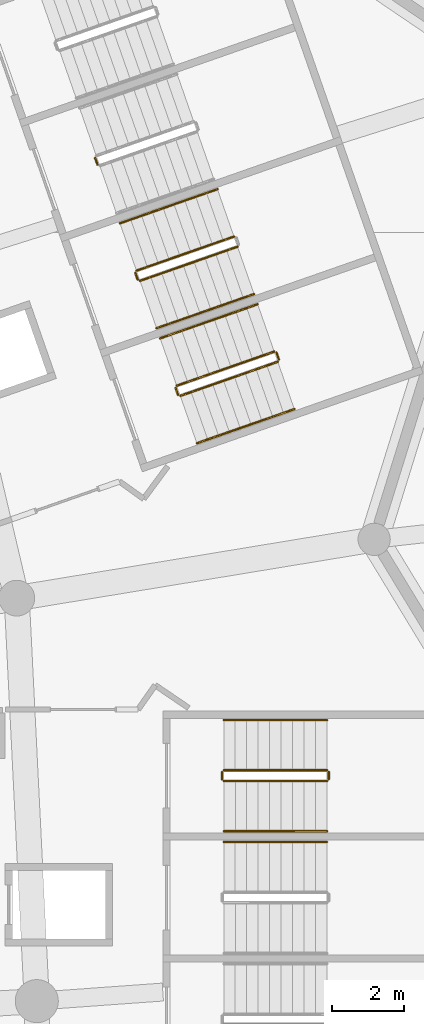
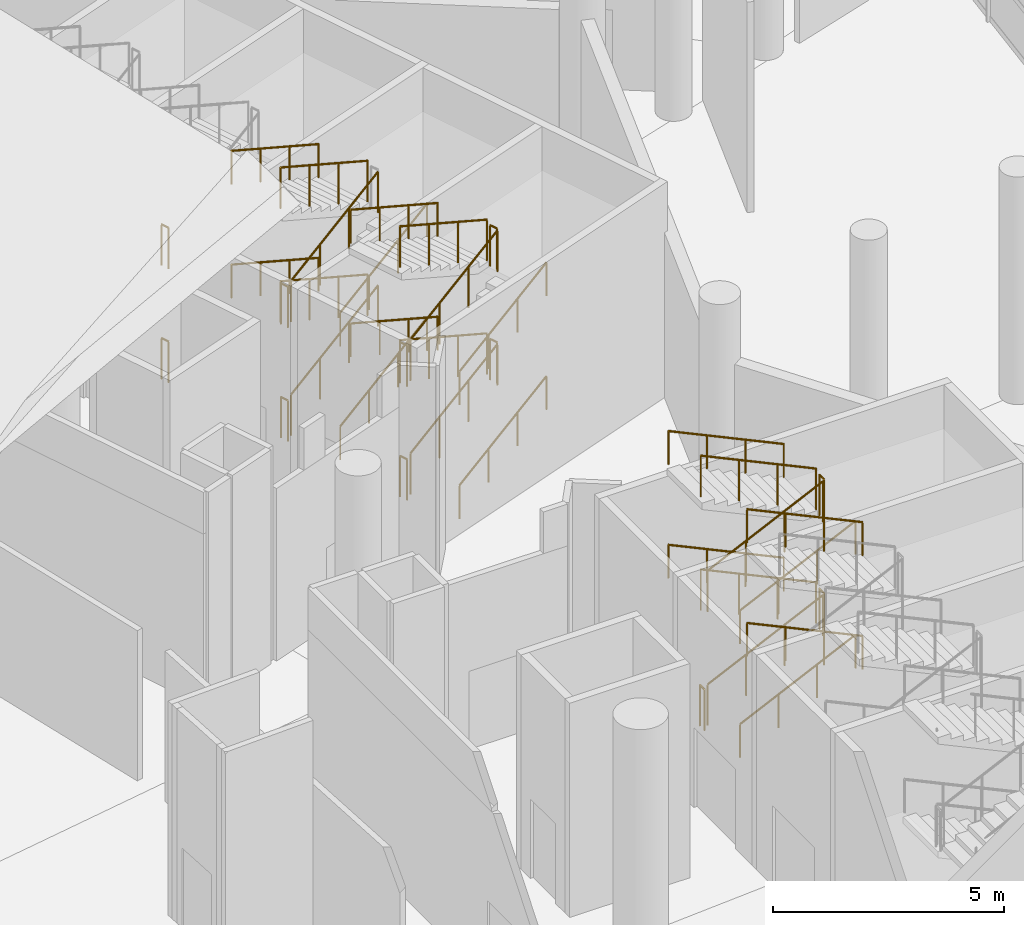
# One storey, part 243 of 249: 37 railings.
"""IFC4 building model written with IfcOpenShell, lengths in metres."""

from ifc_helpers import new_model, si_unit, direction, frame, origin, origin_2d, place, context, subcontext, project, spatial, circle, extrude, material, type_object, element, save


model = new_model("IFC4")

# Units and contexts
model_context = context("Model", 3, precision=1e-05, world=origin(), true_north=direction((0.0, 1.0)))
body_context = subcontext(model_context, "Body", "Model", "MODEL_VIEW")
ifc_project = project(units=[si_unit("LENGTHUNIT", "METRE"), si_unit("AREAUNIT", "SQUARE_METRE"), si_unit("VOLUMEUNIT", "CUBIC_METRE"), si_unit("PLANEANGLEUNIT", "RADIAN"), si_unit("MASSUNIT", "GRAM", prefix="KILO")], contexts=[model_context])

# Site, building, storey
site_placement = place(None, origin())
site = spatial("IfcSite", under=ifc_project, at=site_placement, CompositionType="ELEMENT")
building_placement = place(site_placement, origin())
building = spatial("IfcBuilding", under=site, at=building_placement, Name="Meseta Stadium", CompositionType="ELEMENT")
storey_placement = place(building_placement, frame((0.0, 0.0, 12.0)))
storey = spatial("IfcBuildingStorey", under=building, at=storey_placement, Name="L02", CompositionType="ELEMENT", Elevation=12.0)

# Railings
ifc_material_1 = material(Name="Steel S355", Category="steel")
railing_type_1 = type_object("IfcRailingType", Name="Stair guard 1100", PredefinedType="GUARDRAIL", material=ifc_material_1)
railing_1_placement = place(storey_placement, frame((90.10009765625, 48.699951171875, 0.14990234375)))
element("IfcRailing", 1, at=railing_1_placement, inside=storey, type_object=railing_type_1, Name="ST20 L02 guard 1", PredefinedType="GUARDRAIL", context=body_context, shape_type="SweptSolid", body=[
    extrude(circle(Radius=0.02392578125, at=origin_2d()), frame((0.0, 0.0, 1.076171875), z_axis=(0.905440498372, 0.0, 0.424473207528), x_axis=(0.0, 1.0, 0.0)), (0.0, 0.0, 1.0), 3.1806640625),
    extrude(circle(Radius=0.02099609375, at=origin_2d()), origin(), (0.0, 0.0, 1.0), 1.052001953125),
    extrude(circle(Radius=0.02099609375, at=origin_2d()), frame((0.9599609375, 0.0, 0.449951171875)), (0.0, 0.0, 1.0), 1.052001953125),
    extrude(circle(Radius=0.02099609375, at=origin_2d()), frame((1.919921875, 0.0, 0.900146484375)), (0.0, 0.0, 1.0), 1.052001953125),
    extrude(circle(Radius=0.02099609375, at=origin_2d()), frame((2.8798828125, 0.0, 1.35009765625)), (0.0, 0.0, 1.0), 1.052001953125),
])
railing_2_placement = place(storey_placement, frame((93.030029296875, 48.75, 1.5)))
element("IfcRailing", 2, at=railing_2_placement, inside=storey, type_object=railing_type_1, Name="ST20 L02 guard 2", PredefinedType="GUARDRAIL", context=body_context, shape_type="SweptSolid", body=[
    extrude(circle(Radius=0.02392578125, at=origin_2d()), frame((0.0, 0.0, 1.076171875), z_axis=(0.0, 1.0, 0.0), x_axis=(-1.0, 0.0, 0.0)), (0.0, 0.0, 1.0), 0.199951171875),
    extrude(circle(Radius=0.02099609375, at=origin_2d()), origin(), (0.0, 0.0, 1.0), 1.052001953125),
    extrude(circle(Radius=0.02099609375, at=origin_2d()), frame((0.0, 0.199951171875, 0.0)), (0.0, 0.0, 1.0), 1.052001953125),
])
railing_3_placement = place(storey_placement, frame((92.97998046875, 49.0, 1.64990234375)))
element("IfcRailing", 3, at=railing_3_placement, inside=storey, type_object=railing_type_1, Name="ST20 L02 guard 3", PredefinedType="GUARDRAIL", context=body_context, shape_type="SweptSolid", body=[
    extrude(circle(Radius=0.02392578125, at=origin_2d()), frame((0.0, 0.0, 1.076171875), z_axis=(-0.905440498372, 0.0, 0.424473207528), x_axis=(0.0, -1.0, 0.0)), (0.0, 0.0, 1.0), 3.1806640625),
    extrude(circle(Radius=0.02099609375, at=origin_2d()), origin(), (0.0, 0.0, 1.0), 1.052001953125),
    extrude(circle(Radius=0.02099609375, at=origin_2d()), frame((-0.9599609375, 0.0, 0.449951171875)), (0.0, 0.0, 1.0), 1.052001953125),
    extrude(circle(Radius=0.02099609375, at=origin_2d()), frame((-1.919921875, 0.0, 0.900146484375)), (0.0, 0.0, 1.0), 1.052001953125),
    extrude(circle(Radius=0.02099609375, at=origin_2d()), frame((-2.8798828125, 0.0, 1.35009765625)), (0.0, 0.0, 1.0), 1.052001953125),
])
railing_4_placement = place(storey_placement, frame((90.10009765625, 48.699951171875, 3.14990234375)))
element("IfcRailing", 4, at=railing_4_placement, inside=storey, type_object=railing_type_1, Name="ST20 L02 guard 5", PredefinedType="GUARDRAIL", context=body_context, shape_type="SweptSolid", body=[
    extrude(circle(Radius=0.02392578125, at=origin_2d()), frame((0.0, 0.0, 1.076171875), z_axis=(0.905440498372, 0.0, 0.424473207528), x_axis=(0.0, 1.0, 0.0)), (0.0, 0.0, 1.0), 3.1806640625),
    extrude(circle(Radius=0.02099609375, at=origin_2d()), origin(), (0.0, 0.0, 1.0), 1.052001953125),
    extrude(circle(Radius=0.02099609375, at=origin_2d()), frame((0.9599609375, 0.0, 0.449951171875)), (0.0, 0.0, 1.0), 1.052001953125),
    extrude(circle(Radius=0.02099609375, at=origin_2d()), frame((1.919921875, 0.0, 0.900146484375)), (0.0, 0.0, 1.0), 1.052001953125),
    extrude(circle(Radius=0.02099609375, at=origin_2d()), frame((2.8798828125, 0.0, 1.35009765625)), (0.0, 0.0, 1.0), 1.052001953125),
])
railing_5_placement = place(storey_placement, frame((93.030029296875, 48.75, 4.5)))
element("IfcRailing", 5, at=railing_5_placement, inside=storey, type_object=railing_type_1, Name="ST20 L02 guard 6", PredefinedType="GUARDRAIL", context=body_context, shape_type="SweptSolid", body=[
    extrude(circle(Radius=0.02392578125, at=origin_2d()), frame((0.0, 0.0, 1.076171875), z_axis=(0.0, 1.0, 0.0), x_axis=(-1.0, 0.0, 0.0)), (0.0, 0.0, 1.0), 0.199951171875),
    extrude(circle(Radius=0.02099609375, at=origin_2d()), origin(), (0.0, 0.0, 1.0), 1.052001953125),
    extrude(circle(Radius=0.02099609375, at=origin_2d()), frame((0.0, 0.199951171875, 0.0)), (0.0, 0.0, 1.0), 1.052001953125),
])
railing_6_placement = place(storey_placement, frame((92.97998046875, 49.0, 4.64990234375)))
element("IfcRailing", 6, at=railing_6_placement, inside=storey, type_object=railing_type_1, Name="ST20 L02 guard 7", PredefinedType="GUARDRAIL", context=body_context, shape_type="SweptSolid", body=[
    extrude(circle(Radius=0.02392578125, at=origin_2d()), frame((0.0, 0.0, 1.076171875), z_axis=(-0.905440498372, 0.0, 0.424473207528), x_axis=(0.0, -1.0, 0.0)), (0.0, 0.0, 1.0), 3.1806640625),
    extrude(circle(Radius=0.02099609375, at=origin_2d()), origin(), (0.0, 0.0, 1.0), 1.052001953125),
    extrude(circle(Radius=0.02099609375, at=origin_2d()), frame((-0.9599609375, 0.0, 0.449951171875)), (0.0, 0.0, 1.0), 1.052001953125),
    extrude(circle(Radius=0.02099609375, at=origin_2d()), frame((-1.919921875, 0.0, 0.900146484375)), (0.0, 0.0, 1.0), 1.052001953125),
    extrude(circle(Radius=0.02099609375, at=origin_2d()), frame((-2.8798828125, 0.0, 1.35009765625)), (0.0, 0.0, 1.0), 1.052001953125),
])
railing_7_placement = place(storey_placement, frame((90.050048828125, 48.75, 0.0)))
element("IfcRailing", 7, at=railing_7_placement, inside=storey, type_object=railing_type_1, Name="ST20 L02 guard 8", PredefinedType="GUARDRAIL", context=body_context, shape_type="SweptSolid", body=[
    extrude(circle(Radius=0.02392578125, at=origin_2d()), frame((0.0, 0.0, 1.076171875), z_axis=(0.0, 1.0, 0.0), x_axis=(-1.0, 0.0, 0.0)), (0.0, 0.0, 1.0), 0.199951171875),
    extrude(circle(Radius=0.02099609375, at=origin_2d()), origin(), (0.0, 0.0, 1.0), 1.052001953125),
    extrude(circle(Radius=0.02099609375, at=origin_2d()), frame((0.0, 0.199951171875, 0.0)), (0.0, 0.0, 1.0), 1.052001953125),
])
railing_8_placement = place(storey_placement, frame((88.88720703125, 59.44482421875, 0.14990234375)))
element("IfcRailing", 8, at=railing_8_placement, inside=storey, type_object=railing_type_1, Name="ST21 L02 guard 1", PredefinedType="GUARDRAIL", context=body_context, shape_type="SweptSolid", body=[
    extrude(circle(Radius=0.02392578125, at=origin_2d()), frame((0.0, 0.0, 1.076171875), z_axis=(0.854649344405, 0.299031328765, 0.42444641891), x_axis=(-0.330256026668, 0.943891390388, 0.0)), (0.0, 0.0, 1.0), 3.180908203125),
    extrude(circle(Radius=0.02099609375, at=origin_2d()), origin(), (0.0, 0.0, 1.0), 1.052001953125),
    extrude(circle(Radius=0.02099609375, at=origin_2d()), frame((0.90625, 0.317138671875, 0.449951171875)), (0.0, 0.0, 1.0), 1.052001953125),
    extrude(circle(Radius=0.02099609375, at=origin_2d()), frame((1.812255859375, 0.634033203125, 0.900146484375)), (0.0, 0.0, 1.0), 1.052001953125),
    extrude(circle(Radius=0.02099609375, at=origin_2d()), frame((2.718505859375, 0.951171875, 1.35009765625)), (0.0, 0.0, 1.0), 1.052001953125),
])
railing_9_placement = place(storey_placement, frame((91.63623046875, 60.459716796875, 1.5)))
element("IfcRailing", 9, at=railing_9_placement, inside=storey, type_object=railing_type_1, Name="ST21 L02 guard 2", PredefinedType="GUARDRAIL", context=body_context, shape_type="SweptSolid", body=[
    extrude(circle(Radius=0.02392578125, at=origin_2d()), frame((0.0, 0.0, 1.076171875), z_axis=(-0.329751946816, 0.944067610699, 0.0), x_axis=(-0.944067610699, -0.329751946816, 0.0)), (0.0, 0.0, 1.0), 0.199951171875),
    extrude(circle(Radius=0.02099609375, at=origin_2d()), origin(), (0.0, 0.0, 1.0), 1.052001953125),
    extrude(circle(Radius=0.02099609375, at=origin_2d()), frame((-0.06591796875, 0.188720703125, 0.0)), (0.0, 0.0, 1.0), 1.052001953125),
])
railing_10_placement = place(storey_placement, frame((91.506591796875, 60.67919921875, 1.64990234375)))
element("IfcRailing", 10, at=railing_10_placement, inside=storey, type_object=railing_type_1, Name="ST21 L02 guard 3", PredefinedType="GUARDRAIL", context=body_context, shape_type="SweptSolid", body=[
    extrude(circle(Radius=0.02392578125, at=origin_2d()), frame((0.0, 0.0, 1.076171875), z_axis=(-0.854649344405, -0.299031328765, 0.42444641891), x_axis=(0.330256026668, -0.943891390388, 0.0)), (0.0, 0.0, 1.0), 3.180908203125),
    extrude(circle(Radius=0.02099609375, at=origin_2d()), origin(), (0.0, 0.0, 1.0), 1.052001953125),
    extrude(circle(Radius=0.02099609375, at=origin_2d()), frame((-0.90625, -0.317138671875, 0.449951171875)), (0.0, 0.0, 1.0), 1.052001953125),
    extrude(circle(Radius=0.02099609375, at=origin_2d()), frame((-1.812255859375, -0.634033203125, 0.900146484375)), (0.0, 0.0, 1.0), 1.052001953125),
    extrude(circle(Radius=0.02099609375, at=origin_2d()), frame((-2.718505859375, -0.951171875, 1.35009765625)), (0.0, 0.0, 1.0), 1.052001953125),
])
railing_11_placement = place(storey_placement, frame((88.823486328125, 59.475341796875, 3.0)))
element("IfcRailing", 11, at=railing_11_placement, inside=storey, type_object=railing_type_1, Name="ST21 L02 guard 4", PredefinedType="GUARDRAIL", context=body_context, shape_type="SweptSolid", body=[
    extrude(circle(Radius=0.02392578125, at=origin_2d()), frame((0.0, 0.0, 1.076171875), z_axis=(-0.329372156318, 0.944200181446, 0.0), x_axis=(-0.944200181446, -0.329372156318, 0.0)), (0.0, 0.0, 1.0), 0.2001953125),
    extrude(circle(Radius=0.02099609375, at=origin_2d()), origin(), (0.0, 0.0, 1.0), 1.052001953125),
    extrude(circle(Radius=0.02099609375, at=origin_2d()), frame((-0.06591796875, 0.18896484375, 0.0)), (0.0, 0.0, 1.0), 1.052001953125),
])
railing_12_placement = place(storey_placement, frame((88.88720703125, 59.44482421875, 3.14990234375)))
element("IfcRailing", 12, at=railing_12_placement, inside=storey, type_object=railing_type_1, Name="ST21 L02 guard 5", PredefinedType="GUARDRAIL", context=body_context, shape_type="SweptSolid", body=[
    extrude(circle(Radius=0.02392578125, at=origin_2d()), frame((0.0, 0.0, 1.076171875), z_axis=(0.854649344405, 0.299031328765, 0.42444641891), x_axis=(-0.330256026668, 0.943891390388, 0.0)), (0.0, 0.0, 1.0), 3.180908203125),
    extrude(circle(Radius=0.02099609375, at=origin_2d()), origin(), (0.0, 0.0, 1.0), 1.052001953125),
    extrude(circle(Radius=0.02099609375, at=origin_2d()), frame((0.90625, 0.317138671875, 0.449951171875)), (0.0, 0.0, 1.0), 1.052001953125),
    extrude(circle(Radius=0.02099609375, at=origin_2d()), frame((1.812255859375, 0.634033203125, 0.900146484375)), (0.0, 0.0, 1.0), 1.052001953125),
    extrude(circle(Radius=0.02099609375, at=origin_2d()), frame((2.718505859375, 0.951171875, 1.35009765625)), (0.0, 0.0, 1.0), 1.052001953125),
])
railing_13_placement = place(storey_placement, frame((91.63623046875, 60.459716796875, 4.5)))
element("IfcRailing", 13, at=railing_13_placement, inside=storey, type_object=railing_type_1, Name="ST21 L02 guard 6", PredefinedType="GUARDRAIL", context=body_context, shape_type="SweptSolid", body=[
    extrude(circle(Radius=0.02392578125, at=origin_2d()), frame((0.0, 0.0, 1.076171875), z_axis=(-0.329751946816, 0.944067610699, 0.0), x_axis=(-0.944067610699, -0.329751946816, 0.0)), (0.0, 0.0, 1.0), 0.199951171875),
    extrude(circle(Radius=0.02099609375, at=origin_2d()), origin(), (0.0, 0.0, 1.0), 1.052001953125),
    extrude(circle(Radius=0.02099609375, at=origin_2d()), frame((-0.06591796875, 0.188720703125, 0.0)), (0.0, 0.0, 1.0), 1.052001953125),
])
railing_14_placement = place(storey_placement, frame((91.506591796875, 60.67919921875, 4.64990234375)))
element("IfcRailing", 14, at=railing_14_placement, inside=storey, type_object=railing_type_1, Name="ST21 L02 guard 7", PredefinedType="GUARDRAIL", context=body_context, shape_type="SweptSolid", body=[
    extrude(circle(Radius=0.02392578125, at=origin_2d()), frame((0.0, 0.0, 1.076171875), z_axis=(-0.854649344405, -0.299031328765, 0.42444641891), x_axis=(0.330256026668, -0.943891390388, 0.0)), (0.0, 0.0, 1.0), 3.180908203125),
    extrude(circle(Radius=0.02099609375, at=origin_2d()), origin(), (0.0, 0.0, 1.0), 1.052001953125),
    extrude(circle(Radius=0.02099609375, at=origin_2d()), frame((-0.90625, -0.317138671875, 0.449951171875)), (0.0, 0.0, 1.0), 1.052001953125),
    extrude(circle(Radius=0.02099609375, at=origin_2d()), frame((-1.812255859375, -0.634033203125, 0.900146484375)), (0.0, 0.0, 1.0), 1.052001953125),
    extrude(circle(Radius=0.02099609375, at=origin_2d()), frame((-2.718505859375, -0.951171875, 1.35009765625)), (0.0, 0.0, 1.0), 1.052001953125),
])
railing_15_placement = place(storey_placement, frame((88.823486328125, 59.475341796875, 0.0)))
element("IfcRailing", 15, at=railing_15_placement, inside=storey, type_object=railing_type_1, Name="ST21 L02 guard 8", PredefinedType="GUARDRAIL", context=body_context, shape_type="SweptSolid", body=[
    extrude(circle(Radius=0.02392578125, at=origin_2d()), frame((0.0, 0.0, 1.076171875), z_axis=(-0.329372156318, 0.944200181446, 0.0), x_axis=(-0.944200181446, -0.329372156318, 0.0)), (0.0, 0.0, 1.0), 0.2001953125),
    extrude(circle(Radius=0.02099609375, at=origin_2d()), origin(), (0.0, 0.0, 1.0), 1.052001953125),
    extrude(circle(Radius=0.02099609375, at=origin_2d()), frame((-0.06591796875, 0.18896484375, 0.0)), (0.0, 0.0, 1.0), 1.052001953125),
])
railing_16_placement = place(storey_placement, frame((87.764404296875, 62.654052734375, 0.14990234375)))
element("IfcRailing", 16, at=railing_16_placement, inside=storey, type_object=railing_type_1, Name="ST22 L02 guard 1", PredefinedType="GUARDRAIL", context=body_context, shape_type="SweptSolid", body=[
    extrude(circle(Radius=0.02392578125, at=origin_2d()), frame((0.0, 0.0, 1.076171875), z_axis=(0.854628651604, 0.299050945451, 0.424474262922), x_axis=(-0.33028245302, 0.943882143717, 0.0)), (0.0, 0.0, 1.0), 3.1806640625),
    extrude(circle(Radius=0.02099609375, at=origin_2d()), origin(), (0.0, 0.0, 1.0), 1.052001953125),
    extrude(circle(Radius=0.02099609375, at=origin_2d()), frame((0.906005859375, 0.317138671875, 0.449951171875)), (0.0, 0.0, 1.0), 1.052001953125),
    extrude(circle(Radius=0.02099609375, at=origin_2d()), frame((1.812255859375, 0.634033203125, 0.900146484375)), (0.0, 0.0, 1.0), 1.052001953125),
    extrude(circle(Radius=0.02099609375, at=origin_2d()), frame((2.71826171875, 0.951171875, 1.35009765625)), (0.0, 0.0, 1.0), 1.052001953125),
])
railing_17_placement = place(storey_placement, frame((90.383544921875, 63.888427734375, 1.64990234375)))
element("IfcRailing", 17, at=railing_17_placement, inside=storey, type_object=railing_type_1, Name="ST22 L02 guard 3", PredefinedType="GUARDRAIL", context=body_context, shape_type="SweptSolid", body=[
    extrude(circle(Radius=0.02392578125, at=origin_2d()), frame((0.0, 0.0, 1.076171875), z_axis=(-0.854628651604, -0.299050945451, 0.424474262922), x_axis=(0.33028245302, -0.943882143717, 0.0)), (0.0, 0.0, 1.0), 3.1806640625),
    extrude(circle(Radius=0.02099609375, at=origin_2d()), origin(), (0.0, 0.0, 1.0), 1.052001953125),
    extrude(circle(Radius=0.02099609375, at=origin_2d()), frame((-0.906005859375, -0.317138671875, 0.449951171875)), (0.0, 0.0, 1.0), 1.052001953125),
    extrude(circle(Radius=0.02099609375, at=origin_2d()), frame((-1.812255859375, -0.634033203125, 0.900146484375)), (0.0, 0.0, 1.0), 1.052001953125),
    extrude(circle(Radius=0.02099609375, at=origin_2d()), frame((-2.71826171875, -0.951171875, 1.35009765625)), (0.0, 0.0, 1.0), 1.052001953125),
])
railing_18_placement = place(storey_placement, frame((87.70068359375, 62.6845703125, 3.0)))
element("IfcRailing", 18, at=railing_18_placement, inside=storey, type_object=railing_type_1, Name="ST22 L02 guard 4", PredefinedType="GUARDRAIL", context=body_context, shape_type="SweptSolid", body=[
    extrude(circle(Radius=0.02392578125, at=origin_2d()), frame((0.0, 0.0, 1.076171875), z_axis=(-0.330459055601, 0.943820328543, 0.0), x_axis=(-0.943820328543, -0.330459055601, 0.0)), (0.0, 0.0, 1.0), 0.2001953125),
    extrude(circle(Radius=0.02099609375, at=origin_2d()), origin(), (0.0, 0.0, 1.0), 1.052001953125),
    extrude(circle(Radius=0.02099609375, at=origin_2d()), frame((-0.066162109375, 0.18896484375, 0.0)), (0.0, 0.0, 1.0), 1.052001953125),
])
railing_19_placement = place(storey_placement, frame((87.764404296875, 62.654052734375, 3.14990234375)))
element("IfcRailing", 19, at=railing_19_placement, inside=storey, type_object=railing_type_1, Name="ST22 L02 guard 5", PredefinedType="GUARDRAIL", context=body_context, shape_type="SweptSolid", body=[
    extrude(circle(Radius=0.02392578125, at=origin_2d()), frame((0.0, 0.0, 1.076171875), z_axis=(0.854628651604, 0.299050945451, 0.424474262922), x_axis=(-0.33028245302, 0.943882143717, 0.0)), (0.0, 0.0, 1.0), 3.1806640625),
    extrude(circle(Radius=0.02099609375, at=origin_2d()), origin(), (0.0, 0.0, 1.0), 1.052001953125),
    extrude(circle(Radius=0.02099609375, at=origin_2d()), frame((0.906005859375, 0.317138671875, 0.449951171875)), (0.0, 0.0, 1.0), 1.052001953125),
    extrude(circle(Radius=0.02099609375, at=origin_2d()), frame((1.812255859375, 0.634033203125, 0.900146484375)), (0.0, 0.0, 1.0), 1.052001953125),
    extrude(circle(Radius=0.02099609375, at=origin_2d()), frame((2.71826171875, 0.951171875, 1.35009765625)), (0.0, 0.0, 1.0), 1.052001953125),
])
railing_20_placement = place(storey_placement, frame((90.383544921875, 63.888427734375, 4.64990234375)))
element("IfcRailing", 20, at=railing_20_placement, inside=storey, type_object=railing_type_1, Name="ST22 L02 guard 7", PredefinedType="GUARDRAIL", context=body_context, shape_type="SweptSolid", body=[
    extrude(circle(Radius=0.02392578125, at=origin_2d()), frame((0.0, 0.0, 1.076171875), z_axis=(-0.854628651604, -0.299050945451, 0.424474262922), x_axis=(0.33028245302, -0.943882143717, 0.0)), (0.0, 0.0, 1.0), 3.1806640625),
    extrude(circle(Radius=0.02099609375, at=origin_2d()), origin(), (0.0, 0.0, 1.0), 1.052001953125),
    extrude(circle(Radius=0.02099609375, at=origin_2d()), frame((-0.906005859375, -0.317138671875, 0.449951171875)), (0.0, 0.0, 1.0), 1.052001953125),
    extrude(circle(Radius=0.02099609375, at=origin_2d()), frame((-1.812255859375, -0.634033203125, 0.900146484375)), (0.0, 0.0, 1.0), 1.052001953125),
    extrude(circle(Radius=0.02099609375, at=origin_2d()), frame((-2.71826171875, -0.951171875, 1.35009765625)), (0.0, 0.0, 1.0), 1.052001953125),
])
railing_21_placement = place(storey_placement, frame((87.70068359375, 62.6845703125, 0.0)))
element("IfcRailing", 21, at=railing_21_placement, inside=storey, type_object=railing_type_1, Name="ST22 L02 guard 8", PredefinedType="GUARDRAIL", context=body_context, shape_type="SweptSolid", body=[
    extrude(circle(Radius=0.02392578125, at=origin_2d()), frame((0.0, 0.0, 1.076171875), z_axis=(-0.330459055601, 0.943820328543, 0.0), x_axis=(-0.943820328543, -0.330459055601, 0.0)), (0.0, 0.0, 1.0), 0.2001953125),
    extrude(circle(Radius=0.02099609375, at=origin_2d()), origin(), (0.0, 0.0, 1.0), 1.052001953125),
    extrude(circle(Radius=0.02099609375, at=origin_2d()), frame((-0.066162109375, 0.18896484375, 0.0)), (0.0, 0.0, 1.0), 1.052001953125),
])
for number, where, name in (
    (22, (86.57763671875, 65.893798828125, 3.0), "ST23 L02 guard 4"),
    (23, (86.57763671875, 65.893798828125, 0.0), "ST23 L02 guard 8"),
):
    element("IfcRailing", number, at=place(storey_placement, frame(where)), inside=storey, type_object=railing_type_1, Name=name, PredefinedType="GUARDRAIL", context=body_context, shape_type="SweptSolid", body=[
        extrude(circle(Radius=0.02392578125, at=origin_2d()), frame((0.0, 0.0, 1.076171875), z_axis=(-0.329372156318, 0.944200181446, 0.0), x_axis=(-0.944200181446, -0.329372156318, 0.0)), (0.0, 0.0, 1.0), 0.2001953125),
        extrude(circle(Radius=0.02099609375, at=origin_2d()), origin(), (0.0, 0.0, 1.0), 1.052001953125),
        extrude(circle(Radius=0.02099609375, at=origin_2d()), frame((-0.06591796875, 0.18896484375, 0.0)), (0.0, 0.0, 1.0), 1.052001953125),
    ])
ifc_material_2 = material(Name="Steel S355", Category="steel")
railing_type_2 = type_object("IfcRailingType", Name="Stair handrail 900", PredefinedType="HANDRAIL", material=ifc_material_2)
for number, where, name in (
    (24, (92.97998046875, 47.0, 1.64990234375), "ST19 L02 handrail 2"),
    (25, (92.97998046875, 47.0, 4.64990234375), "ST19 L02 handrail 4"),
):
    element("IfcRailing", number, at=place(storey_placement, frame(where)), inside=storey, type_object=railing_type_2, Name=name, PredefinedType="HANDRAIL", context=body_context, shape_type="SweptSolid", body=[
        extrude(circle(Radius=0.02392578125, at=origin_2d()), frame((0.0, 0.0, 0.8759765625), z_axis=(-0.905440498372, 0.0, 0.424473207528), x_axis=(0.0, -1.0, 0.0)), (0.0, 0.0, 1.0), 3.1806640625),
        extrude(circle(Radius=0.02099609375, at=origin_2d()), origin(), (0.0, 0.0, 1.0), 0.851806640625),
        extrude(circle(Radius=0.02099609375, at=origin_2d()), frame((-0.9599609375, 0.0, 0.449951171875)), (0.0, 0.0, 1.0), 0.851806640625),
        extrude(circle(Radius=0.02099609375, at=origin_2d()), frame((-1.919921875, 0.0, 0.900146484375)), (0.0, 0.0, 1.0), 0.851806640625),
        extrude(circle(Radius=0.02099609375, at=origin_2d()), frame((-2.8798828125, 0.0, 1.35009765625)), (0.0, 0.0, 1.0), 0.851806640625),
    ])
railing_22_placement = place(storey_placement, frame((90.10009765625, 47.300048828125, 0.14990234375)))
element("IfcRailing", 26, at=railing_22_placement, inside=storey, type_object=railing_type_2, Name="ST20 L02 handrail 1", PredefinedType="HANDRAIL", context=body_context, shape_type="SweptSolid", body=[
    extrude(circle(Radius=0.02392578125, at=origin_2d()), frame((0.0, 0.0, 0.8759765625), z_axis=(0.905440498372, 0.0, 0.424473207528), x_axis=(0.0, 1.0, 0.0)), (0.0, 0.0, 1.0), 3.1806640625),
    extrude(circle(Radius=0.02099609375, at=origin_2d()), origin(), (0.0, 0.0, 1.0), 0.851806640625),
    extrude(circle(Radius=0.02099609375, at=origin_2d()), frame((0.9599609375, 0.0, 0.449951171875)), (0.0, 0.0, 1.0), 0.851806640625),
    extrude(circle(Radius=0.02099609375, at=origin_2d()), frame((1.919921875, 0.0, 0.900146484375)), (0.0, 0.0, 1.0), 0.851806640625),
    extrude(circle(Radius=0.02099609375, at=origin_2d()), frame((2.8798828125, 0.0, 1.35009765625)), (0.0, 0.0, 1.0), 0.851806640625),
])
railing_23_placement = place(storey_placement, frame((92.97998046875, 50.39990234375, 1.64990234375)))
element("IfcRailing", 27, at=railing_23_placement, inside=storey, type_object=railing_type_2, Name="ST20 L02 handrail 2", PredefinedType="HANDRAIL", context=body_context, shape_type="SweptSolid", body=[
    extrude(circle(Radius=0.02392578125, at=origin_2d()), frame((0.0, 0.0, 0.8759765625), z_axis=(-0.905440498372, 0.0, 0.424473207528), x_axis=(0.0, -1.0, 0.0)), (0.0, 0.0, 1.0), 3.1806640625),
    extrude(circle(Radius=0.02099609375, at=origin_2d()), origin(), (0.0, 0.0, 1.0), 0.851806640625),
    extrude(circle(Radius=0.02099609375, at=origin_2d()), frame((-0.9599609375, 0.0, 0.449951171875)), (0.0, 0.0, 1.0), 0.851806640625),
    extrude(circle(Radius=0.02099609375, at=origin_2d()), frame((-1.919921875, 0.0, 0.900146484375)), (0.0, 0.0, 1.0), 0.851806640625),
    extrude(circle(Radius=0.02099609375, at=origin_2d()), frame((-2.8798828125, 0.0, 1.35009765625)), (0.0, 0.0, 1.0), 0.851806640625),
])
railing_24_placement = place(storey_placement, frame((90.10009765625, 47.300048828125, 3.14990234375)))
element("IfcRailing", 28, at=railing_24_placement, inside=storey, type_object=railing_type_2, Name="ST20 L02 handrail 3", PredefinedType="HANDRAIL", context=body_context, shape_type="SweptSolid", body=[
    extrude(circle(Radius=0.02392578125, at=origin_2d()), frame((0.0, 0.0, 0.8759765625), z_axis=(0.905440498372, 0.0, 0.424473207528), x_axis=(0.0, 1.0, 0.0)), (0.0, 0.0, 1.0), 3.1806640625),
    extrude(circle(Radius=0.02099609375, at=origin_2d()), origin(), (0.0, 0.0, 1.0), 0.851806640625),
    extrude(circle(Radius=0.02099609375, at=origin_2d()), frame((0.9599609375, 0.0, 0.449951171875)), (0.0, 0.0, 1.0), 0.851806640625),
    extrude(circle(Radius=0.02099609375, at=origin_2d()), frame((1.919921875, 0.0, 0.900146484375)), (0.0, 0.0, 1.0), 0.851806640625),
    extrude(circle(Radius=0.02099609375, at=origin_2d()), frame((2.8798828125, 0.0, 1.35009765625)), (0.0, 0.0, 1.0), 0.851806640625),
])
railing_25_placement = place(storey_placement, frame((92.97998046875, 50.39990234375, 4.64990234375)))
element("IfcRailing", 29, at=railing_25_placement, inside=storey, type_object=railing_type_2, Name="ST20 L02 handrail 4", PredefinedType="HANDRAIL", context=body_context, shape_type="SweptSolid", body=[
    extrude(circle(Radius=0.02392578125, at=origin_2d()), frame((0.0, 0.0, 0.8759765625), z_axis=(-0.905440498372, 0.0, 0.424473207528), x_axis=(0.0, -1.0, 0.0)), (0.0, 0.0, 1.0), 3.1806640625),
    extrude(circle(Radius=0.02099609375, at=origin_2d()), origin(), (0.0, 0.0, 1.0), 0.851806640625),
    extrude(circle(Radius=0.02099609375, at=origin_2d()), frame((-0.9599609375, 0.0, 0.449951171875)), (0.0, 0.0, 1.0), 0.851806640625),
    extrude(circle(Radius=0.02099609375, at=origin_2d()), frame((-1.919921875, 0.0, 0.900146484375)), (0.0, 0.0, 1.0), 0.851806640625),
    extrude(circle(Radius=0.02099609375, at=origin_2d()), frame((-2.8798828125, 0.0, 1.35009765625)), (0.0, 0.0, 1.0), 0.851806640625),
])
railing_26_placement = place(storey_placement, frame((89.349609375, 58.123291015625, 0.14990234375)))
element("IfcRailing", 30, at=railing_26_placement, inside=storey, type_object=railing_type_2, Name="ST21 L02 handrail 1", PredefinedType="HANDRAIL", context=body_context, shape_type="SweptSolid", body=[
    extrude(circle(Radius=0.02392578125, at=origin_2d()), frame((0.0, 0.0, 0.8759765625), z_axis=(0.854649344405, 0.299031328765, 0.42444641891), x_axis=(-0.330256026668, 0.943891390388, 0.0)), (0.0, 0.0, 1.0), 3.180908203125),
    extrude(circle(Radius=0.02099609375, at=origin_2d()), origin(), (0.0, 0.0, 1.0), 0.851806640625),
    extrude(circle(Radius=0.02099609375, at=origin_2d()), frame((0.90625, 0.317138671875, 0.449951171875)), (0.0, 0.0, 1.0), 0.851806640625),
    extrude(circle(Radius=0.02099609375, at=origin_2d()), frame((1.812255859375, 0.634033203125, 0.900146484375)), (0.0, 0.0, 1.0), 0.851806640625),
    extrude(circle(Radius=0.02099609375, at=origin_2d()), frame((2.718505859375, 0.951171875, 1.35009765625)), (0.0, 0.0, 1.0), 0.851806640625),
])
railing_27_placement = place(storey_placement, frame((91.044189453125, 62.00048828125, 1.64990234375)))
element("IfcRailing", 31, at=railing_27_placement, inside=storey, type_object=railing_type_2, Name="ST21 L02 handrail 2", PredefinedType="HANDRAIL", context=body_context, shape_type="SweptSolid", body=[
    extrude(circle(Radius=0.02392578125, at=origin_2d()), frame((0.0, 0.0, 0.8759765625), z_axis=(-0.854649344405, -0.299031328765, 0.42444641891), x_axis=(0.330256026668, -0.943891390388, 0.0)), (0.0, 0.0, 1.0), 3.180908203125),
    extrude(circle(Radius=0.02099609375, at=origin_2d()), origin(), (0.0, 0.0, 1.0), 0.851806640625),
    extrude(circle(Radius=0.02099609375, at=origin_2d()), frame((-0.90625, -0.317138671875, 0.449951171875)), (0.0, 0.0, 1.0), 0.851806640625),
    extrude(circle(Radius=0.02099609375, at=origin_2d()), frame((-1.812255859375, -0.634033203125, 0.900146484375)), (0.0, 0.0, 1.0), 0.851806640625),
    extrude(circle(Radius=0.02099609375, at=origin_2d()), frame((-2.718505859375, -0.951171875, 1.35009765625)), (0.0, 0.0, 1.0), 0.851806640625),
])
railing_28_placement = place(storey_placement, frame((89.349609375, 58.123291015625, 3.14990234375)))
element("IfcRailing", 32, at=railing_28_placement, inside=storey, type_object=railing_type_2, Name="ST21 L02 handrail 3", PredefinedType="HANDRAIL", context=body_context, shape_type="SweptSolid", body=[
    extrude(circle(Radius=0.02392578125, at=origin_2d()), frame((0.0, 0.0, 0.8759765625), z_axis=(0.854649344405, 0.299031328765, 0.42444641891), x_axis=(-0.330256026668, 0.943891390388, 0.0)), (0.0, 0.0, 1.0), 3.180908203125),
    extrude(circle(Radius=0.02099609375, at=origin_2d()), origin(), (0.0, 0.0, 1.0), 0.851806640625),
    extrude(circle(Radius=0.02099609375, at=origin_2d()), frame((0.90625, 0.317138671875, 0.449951171875)), (0.0, 0.0, 1.0), 0.851806640625),
    extrude(circle(Radius=0.02099609375, at=origin_2d()), frame((1.812255859375, 0.634033203125, 0.900146484375)), (0.0, 0.0, 1.0), 0.851806640625),
    extrude(circle(Radius=0.02099609375, at=origin_2d()), frame((2.718505859375, 0.951171875, 1.35009765625)), (0.0, 0.0, 1.0), 0.851806640625),
])
railing_29_placement = place(storey_placement, frame((91.044189453125, 62.00048828125, 4.64990234375)))
element("IfcRailing", 33, at=railing_29_placement, inside=storey, type_object=railing_type_2, Name="ST21 L02 handrail 4", PredefinedType="HANDRAIL", context=body_context, shape_type="SweptSolid", body=[
    extrude(circle(Radius=0.02392578125, at=origin_2d()), frame((0.0, 0.0, 0.8759765625), z_axis=(-0.854649344405, -0.299031328765, 0.42444641891), x_axis=(0.330256026668, -0.943891390388, 0.0)), (0.0, 0.0, 1.0), 3.180908203125),
    extrude(circle(Radius=0.02099609375, at=origin_2d()), origin(), (0.0, 0.0, 1.0), 0.851806640625),
    extrude(circle(Radius=0.02099609375, at=origin_2d()), frame((-0.90625, -0.317138671875, 0.449951171875)), (0.0, 0.0, 1.0), 0.851806640625),
    extrude(circle(Radius=0.02099609375, at=origin_2d()), frame((-1.812255859375, -0.634033203125, 0.900146484375)), (0.0, 0.0, 1.0), 0.851806640625),
    extrude(circle(Radius=0.02099609375, at=origin_2d()), frame((-2.718505859375, -0.951171875, 1.35009765625)), (0.0, 0.0, 1.0), 0.851806640625),
])
railing_30_placement = place(storey_placement, frame((88.226806640625, 61.33251953125, 0.14990234375)))
element("IfcRailing", 34, at=railing_30_placement, inside=storey, type_object=railing_type_2, Name="ST22 L02 handrail 1", PredefinedType="HANDRAIL", context=body_context, shape_type="SweptSolid", body=[
    extrude(circle(Radius=0.02392578125, at=origin_2d()), frame((0.0, 0.0, 0.8759765625), z_axis=(0.854628651604, 0.299050945451, 0.424474262922), x_axis=(-0.33028245302, 0.943882143717, 0.0)), (0.0, 0.0, 1.0), 3.1806640625),
    extrude(circle(Radius=0.02099609375, at=origin_2d()), origin(), (0.0, 0.0, 1.0), 0.851806640625),
    extrude(circle(Radius=0.02099609375, at=origin_2d()), frame((0.906005859375, 0.317138671875, 0.449951171875)), (0.0, 0.0, 1.0), 0.851806640625),
    extrude(circle(Radius=0.02099609375, at=origin_2d()), frame((1.812255859375, 0.634033203125, 0.900146484375)), (0.0, 0.0, 1.0), 0.851806640625),
    extrude(circle(Radius=0.02099609375, at=origin_2d()), frame((2.71826171875, 0.951171875, 1.35009765625)), (0.0, 0.0, 1.0), 0.851806640625),
])
railing_31_placement = place(storey_placement, frame((89.921142578125, 65.209716796875, 1.64990234375)))
element("IfcRailing", 35, at=railing_31_placement, inside=storey, type_object=railing_type_2, Name="ST22 L02 handrail 2", PredefinedType="HANDRAIL", context=body_context, shape_type="SweptSolid", body=[
    extrude(circle(Radius=0.02392578125, at=origin_2d()), frame((0.0, 0.0, 0.8759765625), z_axis=(-0.854628651604, -0.299050945451, 0.424474262922), x_axis=(0.33028245302, -0.943882143717, 0.0)), (0.0, 0.0, 1.0), 3.1806640625),
    extrude(circle(Radius=0.02099609375, at=origin_2d()), origin(), (0.0, 0.0, 1.0), 0.851806640625),
    extrude(circle(Radius=0.02099609375, at=origin_2d()), frame((-0.906005859375, -0.317138671875, 0.449951171875)), (0.0, 0.0, 1.0), 0.851806640625),
    extrude(circle(Radius=0.02099609375, at=origin_2d()), frame((-1.812255859375, -0.634033203125, 0.900146484375)), (0.0, 0.0, 1.0), 0.851806640625),
    extrude(circle(Radius=0.02099609375, at=origin_2d()), frame((-2.71826171875, -0.951171875, 1.35009765625)), (0.0, 0.0, 1.0), 0.851806640625),
])
railing_32_placement = place(storey_placement, frame((88.226806640625, 61.33251953125, 3.14990234375)))
element("IfcRailing", 36, at=railing_32_placement, inside=storey, type_object=railing_type_2, Name="ST22 L02 handrail 3", PredefinedType="HANDRAIL", context=body_context, shape_type="SweptSolid", body=[
    extrude(circle(Radius=0.02392578125, at=origin_2d()), frame((0.0, 0.0, 0.8759765625), z_axis=(0.854628651604, 0.299050945451, 0.424474262922), x_axis=(-0.33028245302, 0.943882143717, 0.0)), (0.0, 0.0, 1.0), 3.1806640625),
    extrude(circle(Radius=0.02099609375, at=origin_2d()), origin(), (0.0, 0.0, 1.0), 0.851806640625),
    extrude(circle(Radius=0.02099609375, at=origin_2d()), frame((0.906005859375, 0.317138671875, 0.449951171875)), (0.0, 0.0, 1.0), 0.851806640625),
    extrude(circle(Radius=0.02099609375, at=origin_2d()), frame((1.812255859375, 0.634033203125, 0.900146484375)), (0.0, 0.0, 1.0), 0.851806640625),
    extrude(circle(Radius=0.02099609375, at=origin_2d()), frame((2.71826171875, 0.951171875, 1.35009765625)), (0.0, 0.0, 1.0), 0.851806640625),
])
railing_33_placement = place(storey_placement, frame((89.921142578125, 65.209716796875, 4.64990234375)))
element("IfcRailing", 37, at=railing_33_placement, inside=storey, type_object=railing_type_2, Name="ST22 L02 handrail 4", PredefinedType="HANDRAIL", context=body_context, shape_type="SweptSolid", body=[
    extrude(circle(Radius=0.02392578125, at=origin_2d()), frame((0.0, 0.0, 0.8759765625), z_axis=(-0.854628651604, -0.299050945451, 0.424474262922), x_axis=(0.33028245302, -0.943882143717, 0.0)), (0.0, 0.0, 1.0), 3.1806640625),
    extrude(circle(Radius=0.02099609375, at=origin_2d()), origin(), (0.0, 0.0, 1.0), 0.851806640625),
    extrude(circle(Radius=0.02099609375, at=origin_2d()), frame((-0.906005859375, -0.317138671875, 0.449951171875)), (0.0, 0.0, 1.0), 0.851806640625),
    extrude(circle(Radius=0.02099609375, at=origin_2d()), frame((-1.812255859375, -0.634033203125, 0.900146484375)), (0.0, 0.0, 1.0), 0.851806640625),
    extrude(circle(Radius=0.02099609375, at=origin_2d()), frame((-2.71826171875, -0.951171875, 1.35009765625)), (0.0, 0.0, 1.0), 0.851806640625),
])

save(model, "model.ifc")
